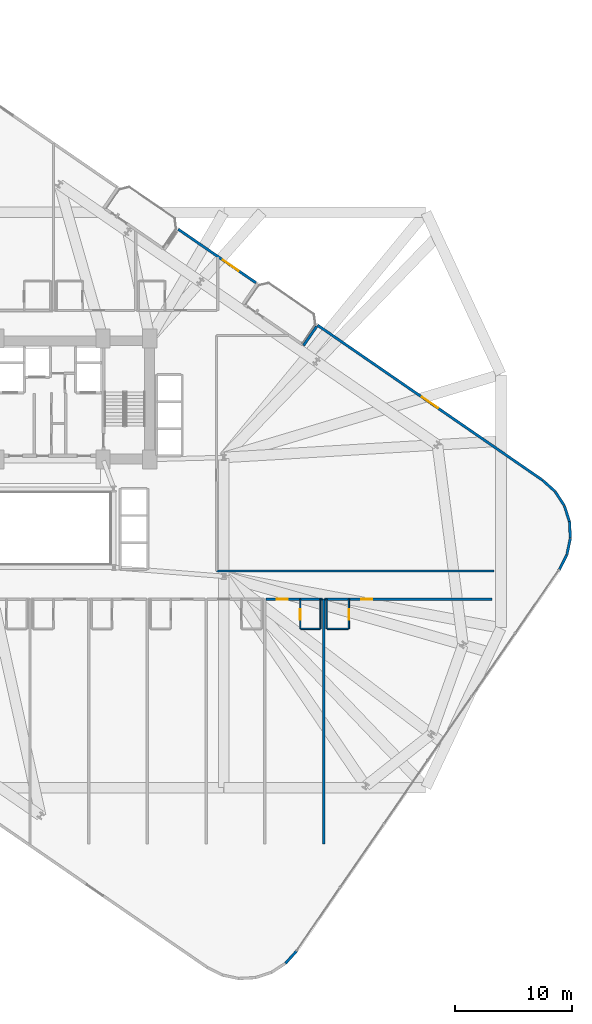
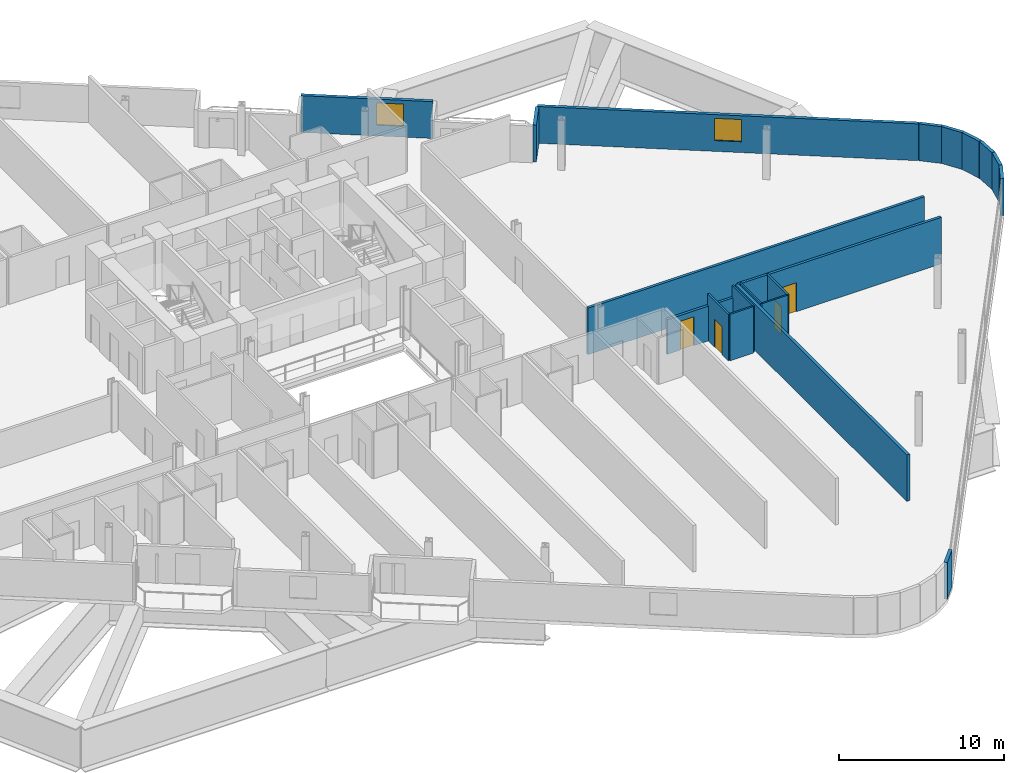
# One storey, part 22 of 26: 20 walls, 4 doors, 2 windows, 6 openings.
"""IFC4 building model written with IfcOpenShell, lengths in metres."""

from ifc_helpers import new_model, si_unit, direction, frame, frame_2d, origin, place, context, subcontext, project, spatial, rectangle, extrude, material, layer, layer_set, type_object, element, fill, save


model = new_model("IFC4")

# Units and contexts
model_context = context("Model", 3, precision=1e-05, world=origin(), true_north=direction((0.0, 1.0)))
body_context = subcontext(model_context, "Body", "Model", "MODEL_VIEW")
ifc_project = project(units=[si_unit("LENGTHUNIT", "METRE"), si_unit("AREAUNIT", "SQUARE_METRE"), si_unit("VOLUMEUNIT", "CUBIC_METRE"), si_unit("PLANEANGLEUNIT", "RADIAN"), si_unit("MASSUNIT", "GRAM", prefix="KILO")], contexts=[model_context])

# Site, building, storey
site_placement = place(None, origin())
site = spatial("IfcSite", under=ifc_project, at=site_placement, CompositionType="ELEMENT")
building_placement = place(site_placement, origin())
building = spatial("IfcBuilding", under=site, at=building_placement, Name="Varnelok Gate Tower", CompositionType="ELEMENT")
storey_placement = place(building_placement, frame((0.0, 0.0, 27.0)))
storey = spatial("IfcBuildingStorey", under=building, at=storey_placement, Name="L05", CompositionType="ELEMENT", Elevation=27.0)

# Walls
ifc_material_1 = material(Name="Concrete C45/55", Category="concrete")
ifc_layer_1 = layer(ifc_material_1, 0.219970703125)
ifc_layer_set_1 = layer_set([ifc_layer_1], Name="Concrete C45/55")
wall_type_1 = type_object("IfcWallType", Name="EW-BALC-220", PredefinedType="SOLIDWALL", material=ifc_layer_set_1)
wall_1_placement = place(storey_placement, frame((59.26611328125, -14.13525390625, 0.0), z_axis=(0.0, 0.0, 1.0), x_axis=(0.669866433955, 0.742481623113, 0.0)))
element("IfcWall", 1, at=wall_1_placement, inside=storey, type_object=wall_type_1, Name="L05 Perimeter Facade Closure Wall 19", PredefinedType="SOLIDWALL", context=body_context, shape_type="SweptSolid", body=[
    extrude(rectangle(XDim=1.4052734375, YDim=0.219970703125, at=frame_2d((0.70263671875, 0.0))), origin(), (0.0, 0.0, 1.0), 2.72998046875),
])
wall_2_placement = place(storey_placement, frame((82.55810546875, 19.355224609375, 0.0), z_axis=(0.0, 0.0, 1.0), x_axis=(0.454777156549, 0.890605264908, 0.0)))
element("IfcWall", 2, at=wall_2_placement, inside=storey, type_object=wall_type_1, Name="L05 Perimeter Facade Closure Wall 20", PredefinedType="SOLIDWALL", context=body_context, shape_type="SweptSolid", body=[
    extrude(rectangle(XDim=1.43017578125, YDim=0.219970703125, at=frame_2d((0.715087890625, 0.0))), origin(), (0.0, 0.0, 1.0), 2.72998046875),
])
wall_3_placement = place(storey_placement, frame((83.2138671875, 20.653564453125, 0.0), z_axis=(0.0, 0.0, 1.0), x_axis=(0.208829011645, 0.977952168511, 0.0)))
element("IfcWall", 3, at=wall_3_placement, inside=storey, type_object=wall_type_1, Name="L05 Perimeter Facade Closure Wall 21", PredefinedType="SOLIDWALL", context=body_context, shape_type="SweptSolid", body=[
    extrude(rectangle(XDim=1.4052734375, YDim=0.219970703125, at=frame_2d((0.70263671875, 0.0))), origin(), (0.0, 0.0, 1.0), 2.72998046875),
])
wall_4_placement = place(storey_placement, frame((83.506103515625, 22.052734375, 0.0), z_axis=(0.0, 0.0, 1.0), x_axis=(-0.051245849735, 0.998686068234, 0.0)))
element("IfcWall", 4, at=wall_4_placement, inside=storey, type_object=wall_type_1, Name="L05 Perimeter Facade Closure Wall 22", PredefinedType="SOLIDWALL", context=body_context, shape_type="SweptSolid", body=[
    extrude(rectangle(XDim=1.405517578125, YDim=0.219970703125, at=frame_2d((0.70263671875, 0.0))), origin(), (0.0, 0.0, 1.0), 2.72998046875),
])
for number, where, z_axis, x_axis, name in (
    (5, (83.426513671875, 23.47998046875, 0.0), (0.0, 0.0, 1.0), (-0.308033059501, 0.951375653596, 0.0), "L05 Perimeter Facade Closure Wall 23"),
    (6, (82.97998046875, 24.837890625, 0.0), (0.0, 0.0, 1.0), (-0.543748195851, 0.839248413468, 0.0), "L05 Perimeter Facade Closure Wall 24"),
):
    element("IfcWall", number, at=place(storey_placement, frame(where, z_axis=z_axis, x_axis=x_axis)), inside=storey, type_object=wall_type_1, Name=name, PredefinedType="SOLIDWALL", context=body_context, shape_type="SweptSolid", body=[
        extrude(rectangle(XDim=1.4052734375, YDim=0.219970703125, at=frame_2d((0.70263671875, 0.0))), origin(), (0.0, 0.0, 1.0), 2.72998046875),
    ])
wall_5_placement = place(storey_placement, frame((82.197265625, 26.033935546875, 0.0), z_axis=(0.0, 0.0, 1.0), x_axis=(-0.742374254638, 0.669985422268, 0.0)))
element("IfcWall", 7, at=wall_5_placement, inside=storey, type_object=wall_type_1, Name="L05 Perimeter Facade Closure Wall 25", PredefinedType="SOLIDWALL", context=body_context, shape_type="SweptSolid", body=[
    extrude(rectangle(XDim=1.4130859375, YDim=0.219970703125, at=frame_2d((0.70654296875, 0.0))), origin(), (0.0, 0.0, 1.0), 2.72998046875),
])

# Wall, opening, window
wall_6_placement = place(storey_placement, frame((81.12744140625, 26.994873046875, 0.0), z_axis=(0.0, 0.0, 1.0), x_axis=(-0.823530169317, 0.567272474411, 0.0)))
wall_6 = element("IfcWall", 8, at=wall_6_placement, inside=storey, type_object=wall_type_1, Name="L05 Perimeter Facade Closure Wall 26", PredefinedType="SOLIDWALL", context=body_context, shape_type="SweptSolid", body=[
    extrude(rectangle(XDim=23.247314453125, YDim=0.219970703125, at=frame_2d((11.62353515625, 0.0))), origin(), (0.0, 0.0, 1.0), 2.72998046875),
])
opening_1_placement = place(wall_6_placement, frame((10.798583984375, 0.0, 0.800048828125)))
opening_1 = element("IfcOpeningElement", 9, at=opening_1_placement, cuts=wall_6, Name="Opening WN3", PredefinedType="OPENING", context=body_context, shape_type="SweptSolid", body=[
    extrude(rectangle(XDim=1.64990234375, YDim=1.64990234375, at=frame_2d((0.824951171875, 0.824951171875))), frame((0.0, 0.119873046875, 0.0), z_axis=(0.0, -1.0, 0.0), x_axis=(1.0, 0.0, 0.0)), (0.0, 0.0, 1.0), 0.239990234375),
])
ifc_material_2 = material(Name="Low-E Laminated Double Glazing IGU", Category="glass")
window_type = type_object("IfcWindowType", Name="WN-HTL-1650", PartitioningType="SINGLE_PANEL", PredefinedType="WINDOW", material=ifc_material_2)
window_1_placement = place(opening_1_placement, origin())
window_1 = element("IfcWindow", 10, at=window_1_placement, inside=storey, type_object=window_type, Name="L05 Perimeter Vision Window 26", OverallHeight=1.64990234375, OverallWidth=1.64990234375, PartitioningType="SINGLE_PANEL", PredefinedType="WINDOW", context=body_context, shape_type="SweptSolid", body=[
    extrude(rectangle(XDim=1.64990234375, YDim=1.64990234375, at=frame_2d((0.824951171875, 0.824951171875))), frame((0.0, 0.030029296875, 0.0), z_axis=(0.0, -1.0, 0.0), x_axis=(1.0, 0.0, 0.0)), (0.0, 0.0, 1.0), 0.06005859375),
])
fill(opening_1, window_1)

# Wall
wall_7_placement = place(storey_placement, frame((61.91162109375, 40.079345703125, 0.0), z_axis=(0.0, 0.0, 1.0), x_axis=(-0.567189720735, -0.82358716642, 0.0)))
element("IfcWall", 11, at=wall_7_placement, inside=storey, type_object=wall_type_1, Name="L05 Perimeter Facade Closure Wall 27", PredefinedType="SOLIDWALL", context=body_context, shape_type="SweptSolid", body=[
    extrude(rectangle(XDim=1.974853515625, YDim=0.219970703125, at=frame_2d((0.9873046875, 0.0))), origin(), (0.0, 0.0, 1.0), 2.72998046875),
])

# Wall, opening, window
wall_8_placement = place(storey_placement, frame((56.740966796875, 43.79296875, 0.0), z_axis=(0.0, 0.0, 1.0), x_axis=(-0.823530942962, 0.56727135128, 0.0)))
wall_8 = element("IfcWall", 12, at=wall_8_placement, inside=storey, type_object=wall_type_1, Name="L05 Perimeter Facade Closure Wall 29", PredefinedType="SOLIDWALL", context=body_context, shape_type="SweptSolid", body=[
    extrude(rectangle(XDim=8.03515625, YDim=0.219970703125, at=frame_2d((4.017578125, 0.0))), origin(), (0.0, 0.0, 1.0), 2.72998046875),
])
opening_2_placement = place(wall_8_placement, frame((1.787841796875, 0.0, 0.800048828125)))
opening_2 = element("IfcOpeningElement", 13, at=opening_2_placement, cuts=wall_8, Name="Opening WN3", PredefinedType="OPENING", context=body_context, shape_type="SweptSolid", body=[
    extrude(rectangle(XDim=1.64990234375, YDim=1.64990234375, at=frame_2d((0.824951171875, 0.824951171875))), frame((0.0, 0.119873046875, 0.0), z_axis=(0.0, -1.0, 0.0), x_axis=(1.0, 0.0, 0.0)), (0.0, 0.0, 1.0), 0.239990234375),
])
window_2_placement = place(opening_2_placement, origin())
window_2 = element("IfcWindow", 14, at=window_2_placement, inside=storey, type_object=window_type, Name="L05 Perimeter Vision Window 29", OverallHeight=1.64990234375, OverallWidth=1.64990234375, PartitioningType="SINGLE_PANEL", PredefinedType="WINDOW", context=body_context, shape_type="SweptSolid", body=[
    extrude(rectangle(XDim=1.64990234375, YDim=1.64990234375, at=frame_2d((0.824951171875, 0.824951171875))), frame((0.0, 0.030029296875, 0.0), z_axis=(0.0, -1.0, 0.0), x_axis=(1.0, 0.0, 0.0)), (0.0, 0.0, 1.0), 0.06005859375),
])
fill(opening_2, window_2)

# Wall, opening, door
ifc_material_3 = material(Name="Gypsum Plasterboard Acoustic Partition", Category="gypsum")
ifc_layer_2 = layer(ifc_material_3, 0.179931640625)
ifc_layer_set_2 = layer_set([ifc_layer_2], Name="Gypsum Plasterboard Acoustic Partition")
wall_type_2 = type_object("IfcWallType", Name="PW-CORR-180", PredefinedType="PARTITIONING", material=ifc_layer_set_2)
wall_9_placement = place(storey_placement, frame((57.580078125, 16.85009765625, 0.0), z_axis=(0.0, 0.0, 1.0), x_axis=(1.0, 0.0, 0.0)))
wall_9 = element("IfcWall", 15, at=wall_9_placement, inside=storey, type_object=wall_type_2, Name="Interior Partition", PredefinedType="PARTITIONING", context=body_context, shape_type="SweptSolid", body=[
    extrude(rectangle(XDim=4.83984375, YDim=0.179931640625, at=frame_2d((2.419921875, 0.0))), origin(), (0.0, 0.0, 1.0), 2.580078125),
])
opening_3_placement = place(wall_9_placement, frame((0.92919921875, 0.0, 0.0)))
opening_3 = element("IfcOpeningElement", 16, at=opening_3_placement, cuts=wall_9, Name="Opening D-HT", PredefinedType="OPENING", context=body_context, shape_type="SweptSolid", body=[
    extrude(rectangle(XDim=0.949951171875, YDim=2.14990234375, at=frame_2d((0.47509765625, 1.074951171875))), frame((0.0, 0.099853515625, 0.0), z_axis=(0.0, -1.0, 0.0), x_axis=(1.0, 0.0, 0.0)), (0.0, 0.0, 1.0), 0.199951171875),
])
ifc_material_4 = material(Name="Engineered Hardwood Timber", Category="wood")
door_type_1 = type_object("IfcDoorType", Name="DR-HTL-950", OperationType="NOTDEFINED", PredefinedType="DOOR", material=ifc_material_4)
door_1_placement = place(opening_3_placement, origin())
door_1 = element("IfcDoor", 17, at=door_1_placement, inside=storey, type_object=door_type_1, Name="L05 Guest Room 11 Entrance Door", OperationType="SINGLE_SWING_RIGHT", OverallHeight=2.14990234375, OverallWidth=0.949951171875, PredefinedType="DOOR", context=body_context, shape_type="SweptSolid", body=[
    extrude(rectangle(XDim=0.949951171875, YDim=2.14990234375, at=frame_2d((0.47509765625, 1.074951171875))), frame((0.0, 0.02490234375, 0.0), z_axis=(0.0, -1.0, 0.0), x_axis=(1.0, 0.0, 0.0)), (0.0, 0.0, 1.0), 0.050048828125),
])
fill(opening_3, door_1)

wall_10_placement = place(storey_placement, frame((62.580078125, 16.85009765625, 0.0), z_axis=(0.0, 0.0, 1.0), x_axis=(1.0, 0.0, 0.0)))
wall_10 = element("IfcWall", 18, at=wall_10_placement, inside=storey, type_object=wall_type_2, Name="Interior Partition", PredefinedType="PARTITIONING", context=body_context, shape_type="SweptSolid", body=[
    extrude(rectangle(XDim=14.239990234375, YDim=0.179931640625, at=frame_2d((7.1201171875, 0.0))), origin(), (0.0, 0.0, 1.0), 3.449951171875),
])
opening_4_placement = place(wall_10_placement, frame((3.110107421875, 0.0, 0.0)))
opening_4 = element("IfcOpeningElement", 19, at=opening_4_placement, cuts=wall_10, Name="Opening D-HT", PredefinedType="OPENING", context=body_context, shape_type="SweptSolid", body=[
    extrude(rectangle(XDim=0.949951171875, YDim=2.14990234375, at=frame_2d((0.47509765625, 1.074951171875))), frame((0.0, 0.099853515625, 0.0), z_axis=(0.0, -1.0, 0.0), x_axis=(1.0, 0.0, 0.0)), (0.0, 0.0, 1.0), 0.199951171875),
])
door_2_placement = place(opening_4_placement, origin())
door_2 = element("IfcDoor", 20, at=door_2_placement, inside=storey, type_object=door_type_1, Name="L05 Guest Room 12 Entrance Door", OperationType="SINGLE_SWING_LEFT", OverallHeight=2.14990234375, OverallWidth=0.949951171875, PredefinedType="DOOR", context=body_context, shape_type="SweptSolid", body=[
    extrude(rectangle(XDim=0.949951171875, YDim=2.14990234375, at=frame_2d((0.47509765625, 1.074951171875))), frame((0.0, 0.02490234375, 0.0), z_axis=(0.0, -1.0, 0.0), x_axis=(1.0, 0.0, 0.0)), (0.0, 0.0, 1.0), 0.050048828125),
])
fill(opening_4, door_2)

# Walls
wall_11_placement = place(storey_placement, frame((53.389892578125, 19.239990234375, 0.0), z_axis=(0.0, 0.0, 1.0), x_axis=(1.0, 0.0, 0.0)))
element("IfcWall", 21, at=wall_11_placement, inside=storey, type_object=wall_type_2, Name="Interior Partition", PredefinedType="PARTITIONING", context=body_context, shape_type="SweptSolid", body=[
    extrude(rectangle(XDim=23.610107421875, YDim=0.179931640625, at=frame_2d((11.80517578125, 0.0))), origin(), (0.0, 0.0, 1.0), 3.449951171875),
])
ifc_layer_3 = layer(ifc_material_3, 0.114990234375)
ifc_layer_set_3 = layer_set([ifc_layer_3], Name="Gypsum Plasterboard Acoustic Partition")
wall_type_3 = type_object("IfcWallType", Name="PW-ENS-125", PredefinedType="PARTITIONING", material=ifc_layer_set_3)
wall_12_placement = place(storey_placement, frame((60.550048828125, 14.330078125, 0.0), z_axis=(0.0, 0.0, 1.0), x_axis=(1.0, 0.0, 0.0)))
element("IfcWall", 22, at=wall_12_placement, inside=storey, type_object=wall_type_3, Name="Interior Partition", PredefinedType="PARTITIONING", context=body_context, shape_type="SweptSolid", body=[
    extrude(rectangle(XDim=1.64990234375, YDim=0.114990234375, at=frame_2d((0.824951171875, 0.0))), origin(), (0.0, 0.0, 1.0), 3.449951171875),
])

# Wall, opening, door
wall_13_placement = place(storey_placement, frame((60.510009765625, 14.330078125, 0.0), z_axis=(0.0, 0.0, 1.0), x_axis=(0.0, 1.0, 0.0)))
wall_13 = element("IfcWall", 23, at=wall_13_placement, inside=storey, type_object=wall_type_3, Name="Interior Partition", PredefinedType="PARTITIONING", context=body_context, shape_type="SweptSolid", body=[
    extrude(rectangle(XDim=2.52001953125, YDim=0.114990234375, at=frame_2d((1.260009765625, 0.0))), origin(), (0.0, 0.0, 1.0), 3.449951171875),
])
opening_5_placement = place(wall_13_placement, frame((0.760009765625, 0.0, 0.0)))
opening_5 = element("IfcOpeningElement", 24, at=opening_5_placement, cuts=wall_13, Name="Opening D-WC", PredefinedType="OPENING", context=body_context, shape_type="SweptSolid", body=[
    extrude(rectangle(XDim=0.89990234375, YDim=2.050048828125, at=frame_2d((0.449951171875, 1.02490234375))), frame((0.0, 0.0673828125, 0.0), z_axis=(0.0, -1.0, 0.0), x_axis=(1.0, 0.0, 0.0)), (0.0, 0.0, 1.0), 0.135009765625),
])
door_type_2 = type_object("IfcDoorType", Name="DR-BATH-900", OperationType="NOTDEFINED", PredefinedType="DOOR", material=ifc_material_4)
door_3_placement = place(opening_5_placement, origin())
door_3 = element("IfcDoor", 25, at=door_3_placement, inside=storey, type_object=door_type_2, Name="L05 Guest En-Suite 11 Door", OperationType="SINGLE_SWING_RIGHT", OverallHeight=2.050048828125, OverallWidth=0.89990234375, PredefinedType="DOOR", context=body_context, shape_type="SweptSolid", body=[
    extrude(rectangle(XDim=0.89990234375, YDim=2.050048828125, at=frame_2d((0.449951171875, 1.02490234375))), frame((0.0, 0.02490234375, 0.0), z_axis=(0.0, -1.0, 0.0), x_axis=(1.0, 0.0, 0.0)), (0.0, 0.0, 1.0), 0.050048828125),
])
fill(opening_5, door_3)

# Walls
wall_14_placement = place(storey_placement, frame((62.239990234375, 14.330078125, 0.0), z_axis=(0.0, 0.0, 1.0), x_axis=(0.0, 1.0, 0.0)))
element("IfcWall", 26, at=wall_14_placement, inside=storey, type_object=wall_type_3, Name="Interior Partition", PredefinedType="PARTITIONING", context=body_context, shape_type="SweptSolid", body=[
    extrude(rectangle(XDim=2.52001953125, YDim=0.114990234375, at=frame_2d((1.260009765625, 0.0))), origin(), (0.0, 0.0, 1.0), 3.449951171875),
])
wall_15_placement = place(storey_placement, frame((62.800048828125, 14.330078125, 0.0), z_axis=(0.0, 0.0, 1.0), x_axis=(1.0, 0.0, 0.0)))
element("IfcWall", 27, at=wall_15_placement, inside=storey, type_object=wall_type_3, Name="Interior Partition", PredefinedType="PARTITIONING", context=body_context, shape_type="SweptSolid", body=[
    extrude(rectangle(XDim=1.80712890625, YDim=0.114990234375, at=frame_2d((0.903564453125, 0.0))), origin(), (0.0, 0.0, 1.0), 3.449951171875),
])

# Wall, opening, door
wall_16_placement = place(storey_placement, frame((64.647216796875, 14.330078125, 0.0), z_axis=(0.0, 0.0, 1.0), x_axis=(0.0, 1.0, 0.0)))
wall_16 = element("IfcWall", 28, at=wall_16_placement, inside=storey, type_object=wall_type_3, Name="Interior Partition", PredefinedType="PARTITIONING", context=body_context, shape_type="SweptSolid", body=[
    extrude(rectangle(XDim=2.52001953125, YDim=0.114990234375, at=frame_2d((1.260009765625, 0.0))), origin(), (0.0, 0.0, 1.0), 3.449951171875),
])
opening_6_placement = place(wall_16_placement, frame((0.760009765625, 0.0, 0.0)))
opening_6 = element("IfcOpeningElement", 29, at=opening_6_placement, cuts=wall_16, Name="Opening D-WC", PredefinedType="OPENING", context=body_context, shape_type="SweptSolid", body=[
    extrude(rectangle(XDim=0.89990234375, YDim=2.050048828125, at=frame_2d((0.449951171875, 1.02490234375))), frame((0.0, 0.0673828125, 0.0), z_axis=(0.0, -1.0, 0.0), x_axis=(1.0, 0.0, 0.0)), (0.0, 0.0, 1.0), 0.135009765625),
])
door_4_placement = place(opening_6_placement, origin())
door_4 = element("IfcDoor", 30, at=door_4_placement, inside=storey, type_object=door_type_2, Name="L05 Guest En-Suite 12 Door", OperationType="SINGLE_SWING_LEFT", OverallHeight=2.050048828125, OverallWidth=0.89990234375, PredefinedType="DOOR", context=body_context, shape_type="SweptSolid", body=[
    extrude(rectangle(XDim=0.89990234375, YDim=2.050048828125, at=frame_2d((0.449951171875, 1.02490234375))), frame((0.0, 0.02490234375, 0.0), z_axis=(0.0, -1.0, 0.0), x_axis=(1.0, 0.0, 0.0)), (0.0, 0.0, 1.0), 0.050048828125),
])
fill(opening_6, door_4)

# Walls
wall_17_placement = place(storey_placement, frame((62.760009765625, 14.330078125, 0.0), z_axis=(0.0, 0.0, 1.0), x_axis=(0.0, 1.0, 0.0)))
element("IfcWall", 31, at=wall_17_placement, inside=storey, type_object=wall_type_3, Name="Interior Partition", PredefinedType="PARTITIONING", context=body_context, shape_type="SweptSolid", body=[
    extrude(rectangle(XDim=2.52001953125, YDim=0.114990234375, at=frame_2d((1.260009765625, 0.0))), origin(), (0.0, 0.0, 1.0), 3.449951171875),
])
ifc_layer_4 = layer(ifc_material_3, 0.205078125)
ifc_layer_set_4 = layer_set([ifc_layer_4], Name="Gypsum Plasterboard Acoustic Partition")
wall_type_4 = type_object("IfcWallType", Name="PW-PARTY-200", PredefinedType="PARTITIONING", material=ifc_layer_set_4)
wall_18_placement = place(storey_placement, frame((62.5, -4.0, 0.0), z_axis=(0.0, 0.0, 1.0), x_axis=(0.0, 1.0, 0.0)))
element("IfcWall", 32, at=wall_18_placement, inside=storey, type_object=wall_type_4, Name="L05 South Party Wall 11", PredefinedType="PARTITIONING", context=body_context, shape_type="SweptSolid", body=[
    extrude(rectangle(XDim=20.85009765625, YDim=0.205078125, at=frame_2d((10.425048828125, 0.0))), origin(), (0.0, 0.0, 1.0), 3.449951171875),
])

save(model, "model.ifc")
